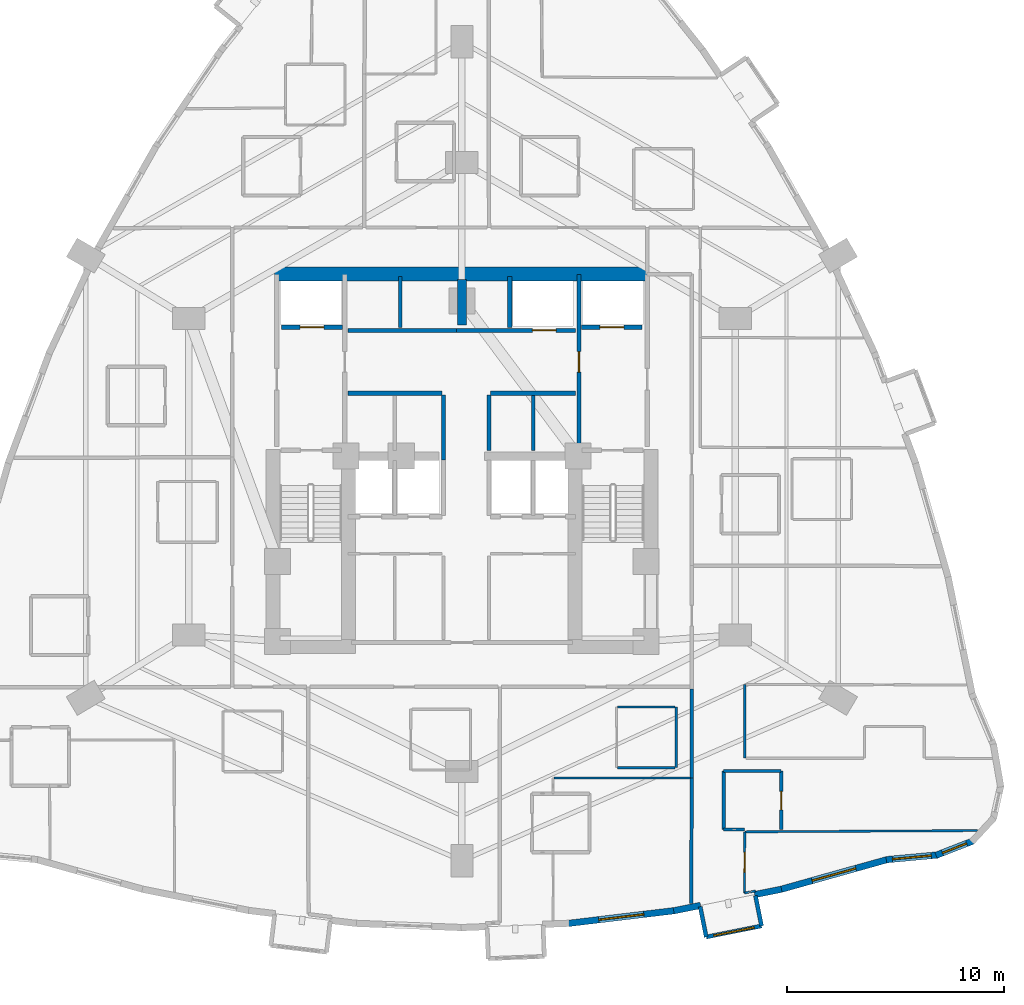
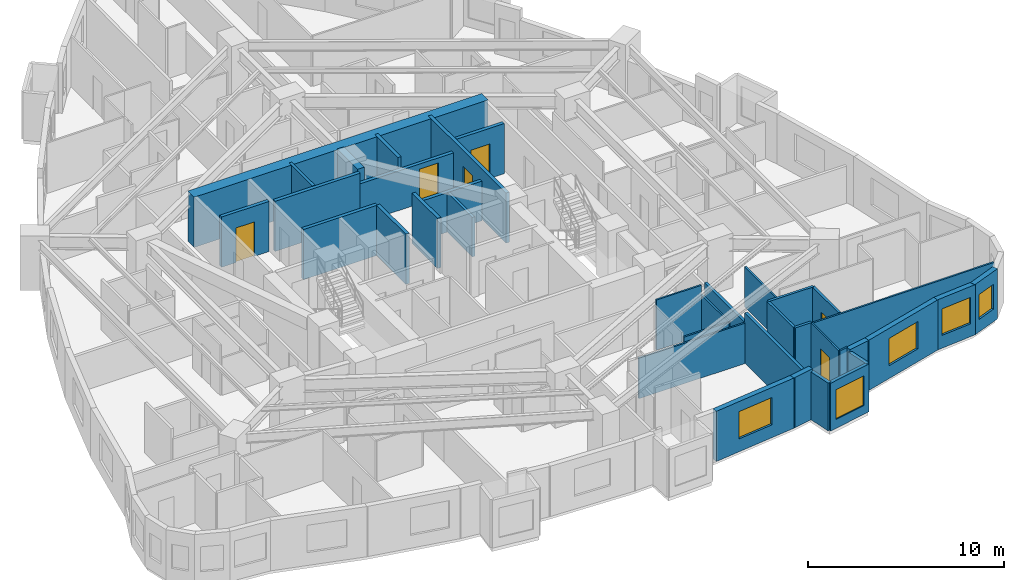
# One storey, part 11 of 16: 37 walls, 6 doors, 5 windows, 11 openings.
"""IFC4 building model written with IfcOpenShell, lengths in metres."""

import ifcopenshell
import ifcopenshell.guid

model = None  # the IFC model being written
_history = None  # IfcOwnerHistory: only IFC2X3 demands one
_inside = {}  # id of a spatial element -> (the spatial element, [elements in it])
_under = {}  # id of a project, library or spatial element -> (it, [spatial elements below it])
_declared = {}  # id of a project -> (the project, [libraries it declares])
_typed = {}  # id of a type object -> (the type object, [elements of that type])
_made_of = {}  # id of a material, layer set ... -> (it, [elements and type objects made of it])


def new_model(schema):
    """Start an empty IFC model of exactly this schema.

    Asked for "IFC4X3", IfcOpenShell would pick the latest addendum, in which some entities
    have other attributes; the version numbers below select the first issue.
    IFC2X3 requires an IfcOwnerHistory on every rooted entity: one is made here for all.
    """
    global model, _history
    if schema == "IFC4X3":
        model = ifcopenshell.file(schema_version=(4, 3, 0, 0))
    else:
        model = ifcopenshell.file(schema=schema)
    _inside.clear()
    _under.clear()
    _declared.clear()
    _typed.clear()
    _made_of.clear()
    _history = None
    if model.schema == "IFC2X3":
        org = make("IfcOrganization", Name="unknown")
        user = make(
            "IfcPersonAndOrganization",
            ThePerson=make("IfcPerson", FamilyName="unknown"),
            TheOrganization=org,
        )
        app = make(
            "IfcApplication",
            ApplicationDeveloper=org,
            Version="unknown",
            ApplicationFullName="unknown",
            ApplicationIdentifier="unknown",
        )
        _history = make(
            "IfcOwnerHistory",
            OwningUser=user,
            OwningApplication=app,
            ChangeAction="ADDED",
            CreationDate=0,
        )
    return model


def make(cls, **values):
    """One entity of the class cls with the attributes given. An attribute that is None is left unset."""
    return model.create_entity(
        cls, **{name: value for name, value in values.items() if value is not None}
    )


def rooted(cls, **values):
    """An entity with a GlobalId (a new one), such as an element, a storey or a relation."""
    return make(cls, GlobalId=ifcopenshell.guid.new(), OwnerHistory=_history, **values)


def si_unit(unit_type, name, prefix=None):
    """IfcSIUnit, for example si_unit("LENGTHUNIT", "METRE", prefix="MILLI")."""
    return make("IfcSIUnit", UnitType=unit_type, Prefix=prefix, Name=name)


def assignment(units):
    """IfcUnitAssignment: the units of a project."""
    return None if units is None else make("IfcUnitAssignment", Units=units)


def point(xyz):
    """IfcCartesianPoint."""
    return None if xyz is None else make("IfcCartesianPoint", Coordinates=xyz)


def direction(xyz):
    """IfcDirection."""
    return None if xyz is None else make("IfcDirection", DirectionRatios=xyz)


def frame(location, z_axis=None, x_axis=None):
    """IfcAxis2Placement3D, a coordinate frame: its origin and axes. An axis left out is left unset."""
    return make(
        "IfcAxis2Placement3D",
        Location=point(location),
        Axis=direction(z_axis),
        RefDirection=direction(x_axis),
    )


def frame_2d(location, x_axis=None):
    """IfcAxis2Placement2D, a coordinate frame in the plane: its origin and x axis."""
    return make(
        "IfcAxis2Placement2D", Location=point(location), RefDirection=direction(x_axis)
    )


def origin():
    """The frame at (0, 0, 0) with its axes left unset."""
    return frame((0.0, 0.0, 0.0))


def place(relative_to, where):
    """IfcLocalPlacement: puts the frame where relative to a parent placement (None: the world)."""
    return make(
        "IfcLocalPlacement", PlacementRelTo=relative_to, RelativePlacement=where
    )


def context(
    kind, dimensions, precision=None, world=None, true_north=None, identifier=None
):
    """IfcGeometricRepresentationContext, for example the 3D "Model" context."""
    return make(
        "IfcGeometricRepresentationContext",
        ContextIdentifier=identifier,
        ContextType=kind,
        CoordinateSpaceDimension=dimensions,
        Precision=precision,
        WorldCoordinateSystem=world,
        TrueNorth=true_north,
    )


def subcontext(parent, identifier, kind, view, scale=None):
    """IfcGeometricRepresentationSubContext, for example "Body" below "Model"."""
    return make(
        "IfcGeometricRepresentationSubContext",
        ContextIdentifier=identifier,
        ContextType=kind,
        ParentContext=parent,
        TargetScale=scale,
        TargetView=view,
    )


def project(units=None, contexts=None):
    """IfcProject with its units and contexts."""
    return rooted(
        "IfcProject",
        Name="project",
        RepresentationContexts=contexts,
        UnitsInContext=assignment(units),
    )


def spatial(cls, under=None, at=None, **own):
    """A site, building, storey or space (cls), placed at a placement, below another one or the project."""
    s = rooted(cls, ObjectPlacement=at, **own)
    if under is not None:
        _under.setdefault(under.id(), (under, []))[1].append(s)
    return s


def profile(cls, at=None, kind="AREA", **sizes):
    """A parametric profile (cls). Its sizes go by their IFC names, for example OverallWidth=200.0."""
    return make(cls, ProfileType=kind, Position=at, **sizes)


def rectangle(**sizes):
    """IfcRectangleProfileDef."""
    return profile("IfcRectangleProfileDef", **sizes)


def extrude(swept, where, along, depth):
    """IfcExtrudedAreaSolid: the profile swept, set in the frame where, extruded along a direction by depth."""
    return make(
        "IfcExtrudedAreaSolid",
        SweptArea=swept,
        Position=where,
        ExtrudedDirection=direction(along),
        Depth=depth,
    )


def shape(context_of_items, identifier, shape_type, items):
    """IfcShapeRepresentation: the items that make up one representation, for example the "Body"."""
    return make(
        "IfcShapeRepresentation",
        ContextOfItems=context_of_items,
        RepresentationIdentifier=identifier,
        RepresentationType=shape_type,
        Items=items,
    )


def material(Name=None, Category=None):
    """IfcMaterial."""
    return make("IfcMaterial", Name=Name, Category=Category)


def layer(
    of_material, thickness, ventilated=None, Name=None, Category=None, Priority=None
):
    """IfcMaterialLayer: one layer of a wall or slab, of a material (None: an air gap)."""
    return make(
        "IfcMaterialLayer",
        Material=of_material,
        LayerThickness=thickness,
        IsVentilated=ventilated,
        Name=Name,
        Category=Category,
        Priority=Priority,
    )


def layer_set(layers, Name=None):
    """IfcMaterialLayerSet."""
    return make("IfcMaterialLayerSet", MaterialLayers=layers, LayerSetName=Name)


def made_of(thing, what):
    """Note that an element or type object is made of a material, layer set ...; save() writes the relation."""
    if what is not None:
        _made_of.setdefault(what.id(), (what, []))[1].append(thing)
    return thing


def type_object(cls, material=None, **own):
    """A type object (cls), such as IfcWallType, which elements share."""
    return made_of(rooted(cls, **own), material)


def element(
    cls,
    number,
    at=None,
    inside=None,
    cuts=None,
    type_object=None,
    material=None,
    context=None,
    identifier="Body",
    shape_type=None,
    held_by="IfcProductDefinitionShape",
    body=None,
    shapes=None,
    **own,
):
    """One element of the class cls, such as IfcWall. Its Tag is "e" and its number.

    at: its placement. inside: the storey or other place that contains it. cuts: it is an
    opening in that element (IfcRelVoidsElement). A single representation is given by context,
    identifier, shape_type and body (its items); several are given by shapes. held_by: the class
    of the entity that holds the representations. save() writes the other relations.
    """
    e = rooted(cls, Tag="e%d" % number, ObjectPlacement=at, **own)
    if body is not None:
        shapes = [shape(context, identifier, shape_type, body)]
    if shapes is not None:
        e.Representation = make(held_by, Representations=shapes)
    if inside is not None:
        _inside.setdefault(inside.id(), (inside, []))[1].append(e)
    if cuts is not None:
        rooted(
            "IfcRelVoidsElement", RelatingBuildingElement=cuts, RelatedOpeningElement=e
        )
    if type_object is not None:
        _typed.setdefault(type_object.id(), (type_object, []))[1].append(e)
    return made_of(e, material)


def fill(opening, filler):
    """IfcRelFillsElement: the door or window that sits in an opening."""
    return rooted(
        "IfcRelFillsElement",
        RelatingOpeningElement=opening,
        RelatedBuildingElement=filler,
    )


def aggregate(whole, parts):
    """IfcRelAggregates: a whole, such as a stair, and the parts it consists of."""
    return rooted("IfcRelAggregates", RelatingObject=whole, RelatedObjects=parts)


def save(model, path):
    """Write the relations noted so far, then the file.

    IfcRelAggregates (storeys below a building ...), IfcRelContainedInSpatialStructure (elements
    in a storey), IfcRelDefinesByType, IfcRelAssociatesMaterial and IfcRelDeclares: one each for
    every whole, place, type object, material and project.
    """
    for whole, parts in _under.values():
        aggregate(whole, parts)
    for where, things in _inside.values():
        rooted(
            "IfcRelContainedInSpatialStructure",
            RelatedElements=things,
            RelatingStructure=where,
        )
    for kind, things in _typed.values():
        rooted("IfcRelDefinesByType", RelatedObjects=things, RelatingType=kind)
    for what, things in _made_of.values():
        rooted("IfcRelAssociatesMaterial", RelatedObjects=things, RelatingMaterial=what)
    for by, libraries in _declared.values():
        rooted("IfcRelDeclares", RelatingContext=by, RelatedDefinitions=libraries)
    model.write(path)


model = new_model("IFC4")

# Units and contexts
model_context = context("Model", 3, precision=1e-05, world=origin(), true_north=direction((0.0, 1.0)))
body_context = subcontext(model_context, "Body", "Model", "MODEL_VIEW")
ifc_project = project(units=[si_unit("LENGTHUNIT", "METRE"), si_unit("AREAUNIT", "SQUARE_METRE"), si_unit("VOLUMEUNIT", "CUBIC_METRE"), si_unit("PLANEANGLEUNIT", "RADIAN"), si_unit("MASSUNIT", "GRAM", prefix="KILO")], contexts=[model_context])

# Site, building, storey
site_placement = place(None, origin())
site = spatial("IfcSite", under=ifc_project, at=site_placement, CompositionType="ELEMENT")
building_placement = place(site_placement, origin())
building = spatial("IfcBuilding", under=site, at=building_placement, Name="Miruveldt Soraemaru", CompositionType="ELEMENT")
storey_placement = place(building_placement, frame((0.0, 0.0, 42.800048828125)))
storey = spatial("IfcBuildingStorey", under=building, at=storey_placement, Name="L11", CompositionType="ELEMENT", Elevation=42.800048828125)

# Walls
ifc_material_1 = material(Name="White powder-coated aluminium EN AW-6060 T6", Category="aluminium")
ifc_layer_1 = layer(ifc_material_1, 0.18994140625, Name="White powder-coated aluminium EN AW-6060 T6", Category="aluminium")
ifc_layer_set_1 = layer_set([ifc_layer_1], Name="White powder-coated aluminium EN AW-6060 T6")
wall_type_1 = type_object("IfcWallType", Name="WALL-BAY-ALU190", PredefinedType="SOLIDWALL", material=ifc_layer_set_1)
wall_1_placement = place(storey_placement, frame((54.9951171875, 23.259033203125, 0.0), z_axis=(0.0, 0.0, 1.0), x_axis=(0.195984352603, -0.980607022989, 0.0)))
element("IfcWall", 1, at=wall_1_placement, inside=storey, type_object=wall_type_1, Name="L11 Bay Window Side Cheek 3L", PredefinedType="SOLIDWALL", context=body_context, shape_type="SweptSolid", body=[
    extrude(rectangle(XDim=1.425048828125, YDim=0.18994140625, at=frame_2d((0.71240234375, 0.0))), origin(), (0.0, 0.0, 1.0), 2.974853515625),
])
wall_2_placement = place(storey_placement, frame((57.82421875, 22.37158203125, 0.0), z_axis=(0.0, 0.0, 1.0), x_axis=(-0.196182033934, 0.980567493629, 0.0)))
element("IfcWall", 2, at=wall_2_placement, inside=storey, type_object=wall_type_1, Name="L11 Bay Window Side Cheek 3R", PredefinedType="SOLIDWALL", context=body_context, shape_type="SweptSolid", body=[
    extrude(rectangle(XDim=1.4248046875, YDim=0.18994140625, at=frame_2d((0.71240234375, 0.0))), origin(), (0.0, 0.0, 1.0), 2.974853515625),
])

# Wall, opening, window
wall_3_placement = place(storey_placement, frame((55.2744140625, 21.861572265625, 0.0), z_axis=(0.0, 0.0, 1.0), x_axis=(0.980577064408, 0.196134190688, 0.0)))
wall_3 = element("IfcWall", 3, at=wall_3_placement, inside=storey, type_object=wall_type_1, Name="L11 Bay Window Front Frame 3", PredefinedType="SOLIDWALL", context=body_context, shape_type="SweptSolid", body=[
    extrude(rectangle(XDim=2.600341796875, YDim=0.18994140625, at=frame_2d((1.30029296875, 0.0))), origin(), (0.0, 0.0, 1.0), 2.974853515625),
])
opening_1_placement = place(wall_3_placement, frame((0.35009765625, 0.0, 0.550048828125)))
opening_1 = element("IfcOpeningElement", 4, at=opening_1_placement, cuts=wall_3, Name="Opening WN-6", PredefinedType="OPENING", context=body_context, shape_type="SweptSolid", body=[
    extrude(rectangle(XDim=1.89990234375, YDim=1.85009765625, at=frame_2d((0.949951171875, 0.925048828125))), frame((0.0, 0.10498046875, 0.0), z_axis=(0.0, -1.0, 0.0), x_axis=(1.0, 0.0, 0.0)), (0.0, 0.0, 1.0), 0.2099609375),
])
ifc_material_2 = material(Name="Triple low-e insulated glazing", Category="glass")
window_type_1 = type_object("IfcWindowType", Name="WIN-BAYW-1900x1850", PartitioningType="SINGLE_PANEL", PredefinedType="WINDOW", material=ifc_material_2)
window_1_placement = place(opening_1_placement, origin())
window_1 = element("IfcWindow", 5, at=window_1_placement, inside=storey, type_object=window_type_1, Name="L11 Projecting Bay Window 3", OverallHeight=1.85009765625, OverallWidth=1.89990234375, PartitioningType="SINGLE_PANEL", PredefinedType="WINDOW", context=body_context, shape_type="SweptSolid", body=[
    extrude(rectangle(XDim=1.89990234375, YDim=1.85009765625, at=frame_2d((0.949951171875, 0.925048828125))), frame((0.0, 0.030029296875, 0.0), z_axis=(0.0, -1.0, 0.0), x_axis=(1.0, 0.0, 0.0)), (0.0, 0.0, 1.0), 0.06005859375),
])
fill(opening_1, window_1)

# Walls
ifc_material_3 = material(Name="Concrete C70/85 (70 MPa)", Category="concrete")
ifc_layer_2 = layer(ifc_material_3, 0.5, Name="Concrete C70/85 (70 MPa)", Category="concrete")
ifc_layer_set_2 = layer_set([ifc_layer_2], Name="Concrete C70/85 (70 MPa)")
wall_type_2 = type_object("IfcWallType", Name="WALL-BW-500", PredefinedType="SHEAR", material=ifc_layer_set_2)
wall_4_placement = place(storey_placement, frame((44.0, 50.10009765625, 0.0), z_axis=(0.0, 0.0, 1.0), x_axis=(0.0, 1.0, 0.0)))
element("IfcWall", 6, at=wall_4_placement, inside=storey, type_object=wall_type_2, Name="L11 Core Buttress Shear Wall BN", PredefinedType="SHEAR", context=body_context, shape_type="SweptSolid", body=[
    extrude(rectangle(XDim=2.099853515625, YDim=0.39990234375, at=frame_2d((1.0498046875, 0.0))), origin(), (0.0, 0.0, 1.0), 3.125),
])
ifc_material_4 = material(Name="Concrete C80/95 (80 MPa)", Category="concrete")
ifc_layer_3 = layer(ifc_material_4, 0.64990234375, Name="Concrete C80/95 (80 MPa)", Category="concrete")
ifc_layer_set_3 = layer_set([ifc_layer_3], Name="Concrete C80/95 (80 MPa)")
wall_type_3 = type_object("IfcWallType", Name="WALL-CW-650", PredefinedType="SHEAR", material=ifc_layer_set_3)
wall_5_placement = place(storey_placement, frame((35.35009765625, 52.449951171875, 0.0), z_axis=(0.0, 0.0, 1.0), x_axis=(1.0, 0.0, 0.0)))
element("IfcWall", 7, at=wall_5_placement, inside=storey, type_object=wall_type_3, Name="L11 Central Core Shear Wall N", PredefinedType="SHEAR", context=body_context, shape_type="SweptSolid", body=[
    extrude(rectangle(XDim=17.2998046875, YDim=0.64990234375, at=frame_2d((8.64990234375, 0.0))), origin(), (0.0, 0.0, 1.0), 3.125),
])

# Wall, opening, window
ifc_material_5 = material(Name="Precast concrete C45/55 (45 MPa)", Category="concrete")
ifc_layer_4 = layer(ifc_material_5, 0.300048828125, Name="Precast concrete C45/55 (45 MPa)", Category="concrete")
ifc_layer_set_4 = layer_set([ifc_layer_4], Name="Precast concrete C45/55 (45 MPa)")
wall_type_4 = type_object("IfcWallType", Name="WALL-EXT-PC300", PredefinedType="SOLIDWALL", material=ifc_layer_set_4)
wall_6_placement = place(storey_placement, frame((48.868896484375, 22.48486328125, 0.0), z_axis=(0.0, 0.0, 1.0), x_axis=(0.992873378467, 0.119174050582, 0.0)))
wall_6 = element("IfcWall", 8, at=wall_6_placement, inside=storey, type_object=wall_type_4, Name="L11 Precast Concrete Facade Wall 26", PredefinedType="SOLIDWALL", context=body_context, shape_type="SweptSolid", body=[
    extrude(rectangle(XDim=5.0087890625, YDim=0.300048828125, at=frame_2d((2.50439453125, 0.0))), origin(), (0.0, 0.0, 1.0), 3.125),
])
opening_2_placement = place(wall_6_placement, frame((1.4541015625, 0.0, 0.800048828125)))
opening_2 = element("IfcOpeningElement", 9, at=opening_2_placement, cuts=wall_6, Name="Opening WN-1", PredefinedType="OPENING", context=body_context, shape_type="SweptSolid", body=[
    extrude(rectangle(XDim=2.10009765625, YDim=1.699951171875, at=frame_2d((1.050048828125, 0.85009765625))), frame((0.0, 0.16015625, 0.0), z_axis=(0.0, -1.0, 0.0), x_axis=(1.0, 0.0, 0.0)), (0.0, 0.0, 1.0), 0.320068359375),
])
window_type_2 = type_object("IfcWindowType", Name="WIN-PUNCH-2100x1700", PartitioningType="SINGLE_PANEL", PredefinedType="WINDOW", material=ifc_material_2)
window_2_placement = place(opening_2_placement, origin())
window_2 = element("IfcWindow", 10, at=window_2_placement, inside=storey, type_object=window_type_2, Name="L11 Punched Triple-Glazed Window 26.1", OverallHeight=1.699951171875, OverallWidth=2.10009765625, PartitioningType="SINGLE_PANEL", PredefinedType="WINDOW", context=body_context, shape_type="SweptSolid", body=[
    extrude(rectangle(XDim=2.10009765625, YDim=1.699951171875, at=frame_2d((1.050048828125, 0.85009765625))), frame((0.0, 0.030029296875, 0.0), z_axis=(0.0, -1.0, 0.0), x_axis=(1.0, 0.0, 0.0)), (0.0, 0.0, 1.0), 0.06005859375),
])
fill(opening_2, window_2)

# Walls
for number, where, z_axis, x_axis, name in (
    (11, (53.77294921875, 23.070556640625, 0.0), (0.0, 0.0, 1.0), (0.980558406217, 0.19622744965, 0.0), "L11 Precast Pier Wall 27A"),
    (12, (57.50439453125, 23.81689453125, 0.0), (0.0, 0.0, 1.0), (0.980558406217, 0.19622744965, 0.0), "L11 Precast Pier Wall 27B"),
):
    element("IfcWall", number, at=place(storey_placement, frame(where, z_axis=z_axis, x_axis=x_axis)), inside=storey, type_object=wall_type_4, Name=name, PredefinedType="SOLIDWALL", context=body_context, shape_type="SweptSolid", body=[
        extrude(rectangle(XDim=1.265380859375, YDim=0.300048828125, at=frame_2d((0.6328125, 0.0))), origin(), (0.0, 0.0, 1.0), 3.125),
    ])

# Wall, opening, window
wall_7_placement = place(storey_placement, frame((58.67724609375, 24.048828125, 0.0), z_axis=(0.0, 0.0, 1.0), x_axis=(0.962965002088, 0.269626417018, 0.0)))
wall_7 = element("IfcWall", 13, at=wall_7_placement, inside=storey, type_object=wall_type_4, Name="L11 Precast Concrete Facade Wall 28", PredefinedType="SOLIDWALL", context=body_context, shape_type="SweptSolid", body=[
    extrude(rectangle(XDim=5.162109375, YDim=0.300048828125, at=frame_2d((2.5810546875, 0.0))), origin(), (0.0, 0.0, 1.0), 3.125),
])
opening_3_placement = place(wall_7_placement, frame((1.531005859375, 0.0, 0.800048828125)))
opening_3 = element("IfcOpeningElement", 14, at=opening_3_placement, cuts=wall_7, Name="Opening WN-1", PredefinedType="OPENING", context=body_context, shape_type="SweptSolid", body=[
    extrude(rectangle(XDim=2.10009765625, YDim=1.699951171875, at=frame_2d((1.050048828125, 0.85009765625))), frame((0.0, 0.16015625, 0.0), z_axis=(0.0, -1.0, 0.0), x_axis=(1.0, 0.0, 0.0)), (0.0, 0.0, 1.0), 0.320068359375),
])
window_3_placement = place(opening_3_placement, origin())
window_3 = element("IfcWindow", 15, at=window_3_placement, inside=storey, type_object=window_type_2, Name="L11 Punched Triple-Glazed Window 28.1", OverallHeight=1.699951171875, OverallWidth=2.10009765625, PartitioningType="SINGLE_PANEL", PredefinedType="WINDOW", context=body_context, shape_type="SweptSolid", body=[
    extrude(rectangle(XDim=2.10009765625, YDim=1.699951171875, at=frame_2d((1.050048828125, 0.85009765625))), frame((0.0, 0.030029296875, 0.0), z_axis=(0.0, -1.0, 0.0), x_axis=(1.0, 0.0, 0.0)), (0.0, 0.0, 1.0), 0.06005859375),
])
fill(opening_3, window_3)

wall_8_placement = place(storey_placement, frame((63.57958984375, 25.427978515625, 0.0), z_axis=(0.0, 0.0, 1.0), x_axis=(0.99576320225, 0.091954581429, 0.0)))
wall_8 = element("IfcWall", 16, at=wall_8_placement, inside=storey, type_object=wall_type_4, Name="L11 Precast Concrete Facade Wall 29", PredefinedType="SOLIDWALL", context=body_context, shape_type="SweptSolid", body=[
    extrude(rectangle(XDim=2.37353515625, YDim=0.300048828125, at=frame_2d((1.186767578125, 0.0))), origin(), (0.0, 0.0, 1.0), 3.125),
])
opening_4_placement = place(wall_8_placement, frame((0.287109375, 0.0, 0.800048828125)))
opening_4 = element("IfcOpeningElement", 17, at=opening_4_placement, cuts=wall_8, Name="Opening WN-2", PredefinedType="OPENING", context=body_context, shape_type="SweptSolid", body=[
    extrude(rectangle(XDim=1.800048828125, YDim=1.64990234375, at=frame_2d((0.89990234375, 0.824951171875))), frame((0.0, 0.16015625, 0.0), z_axis=(0.0, -1.0, 0.0), x_axis=(1.0, 0.0, 0.0)), (0.0, 0.0, 1.0), 0.320068359375),
])
window_type_3 = type_object("IfcWindowType", Name="WIN-PUNCH-1800x1650", PartitioningType="SINGLE_PANEL", PredefinedType="WINDOW", material=ifc_material_2)
window_4_placement = place(opening_4_placement, origin())
window_4 = element("IfcWindow", 18, at=window_4_placement, inside=storey, type_object=window_type_3, Name="L11 Punched Triple-Glazed Window 29.1", OverallHeight=1.64990234375, OverallWidth=1.800048828125, PartitioningType="SINGLE_PANEL", PredefinedType="WINDOW", context=body_context, shape_type="SweptSolid", body=[
    extrude(rectangle(XDim=1.800048828125, YDim=1.64990234375, at=frame_2d((0.89990234375, 0.824951171875))), frame((0.0, 0.030029296875, 0.0), z_axis=(0.0, -1.0, 0.0), x_axis=(1.0, 0.0, 0.0)), (0.0, 0.0, 1.0), 0.06005859375),
])
fill(opening_4, window_4)

wall_9_placement = place(storey_placement, frame((65.875732421875, 25.63037109375, 0.0), z_axis=(0.0, 0.0, 1.0), x_axis=(0.932260177706, 0.361788558502, 0.0)))
wall_9 = element("IfcWall", 19, at=wall_9_placement, inside=storey, type_object=wall_type_4, Name="L11 Precast Concrete Facade Wall 30", PredefinedType="SOLIDWALL", context=body_context, shape_type="SweptSolid", body=[
    extrude(rectangle(XDim=1.827392578125, YDim=0.300048828125, at=frame_2d((0.91357421875, 0.0))), origin(), (0.0, 0.0, 1.0), 3.125),
])
opening_5_placement = place(wall_9_placement, frame((0.31396484375, 0.0, 0.780029296875)))
opening_5 = element("IfcOpeningElement", 20, at=opening_5_placement, cuts=wall_9, Name="Opening WN-4", PredefinedType="OPENING", context=body_context, shape_type="SweptSolid", body=[
    extrude(rectangle(XDim=1.199951171875, YDim=1.550048828125, at=frame_2d((0.60009765625, 0.77490234375))), frame((0.0, 0.16015625, 0.0), z_axis=(0.0, -1.0, 0.0), x_axis=(1.0, 0.0, 0.0)), (0.0, 0.0, 1.0), 0.320068359375),
])
window_type_4 = type_object("IfcWindowType", Name="WIN-PUNCH-1200x1550", PartitioningType="SINGLE_PANEL", PredefinedType="WINDOW", material=ifc_material_2)
window_5_placement = place(opening_5_placement, origin())
window_5 = element("IfcWindow", 21, at=window_5_placement, inside=storey, type_object=window_type_4, Name="L11 Punched Triple-Glazed Window 30.1", OverallHeight=1.550048828125, OverallWidth=1.199951171875, PartitioningType="SINGLE_PANEL", PredefinedType="WINDOW", context=body_context, shape_type="SweptSolid", body=[
    extrude(rectangle(XDim=1.199951171875, YDim=1.550048828125, at=frame_2d((0.60009765625, 0.77490234375))), frame((0.0, 0.030029296875, 0.0), z_axis=(0.0, -1.0, 0.0), x_axis=(1.0, 0.0, 0.0)), (0.0, 0.0, 1.0), 0.06005859375),
])
fill(opening_5, window_5)

# Wall, opening, door
ifc_material_6 = material(Name="Gypsum plasterboard lining", Category="gypsum")
ifc_layer_5 = layer(ifc_material_6, 0.10009765625, Name="Gypsum plasterboard lining", Category="gypsum")
ifc_layer_set_5 = layer_set([ifc_layer_5], Name="Gypsum plasterboard lining")
wall_type_5 = type_object("IfcWallType", Name="WALL-INT-P100", PredefinedType="PARTITIONING", material=ifc_layer_set_5)
wall_10_placement = place(storey_placement, frame((57.032958984375, 23.89111328125, 0.0), z_axis=(0.0, 0.0, 1.0), x_axis=(0.006051587985, 0.999981688974, 0.0)))
wall_10 = element("IfcWall", 22, at=wall_10_placement, inside=storey, type_object=wall_type_5, Name="L11 Partition Wall 83", PredefinedType="PARTITIONING", context=body_context, shape_type="SweptSolid", body=[
    extrude(rectangle(XDim=2.823974609375, YDim=0.10009765625, at=frame_2d((1.412109375, 0.0))), origin(), (0.0, 0.0, 1.0), 3.125),
])
opening_6_placement = place(wall_10_placement, frame((0.951904296875, 0.0, 0.0)))
opening_6 = element("IfcOpeningElement", 23, at=opening_6_placement, cuts=wall_10, Name="Opening D3A", PredefinedType="OPENING", context=body_context, shape_type="SweptSolid", body=[
    extrude(rectangle(XDim=0.919921875, YDim=2.10009765625, at=frame_2d((0.4599609375, 1.050048828125))), frame((0.0, 0.06005859375, 0.0), z_axis=(0.0, -1.0, 0.0), x_axis=(1.0, 0.0, 0.0)), (0.0, 0.0, 1.0), 0.1201171875),
])
ifc_material_7 = material(Name="Anodised aluminium EN AW-6063 T6", Category="aluminium")
door_type_1 = type_object("IfcDoorType", Name="DOOR-INT-920", OperationType="NOTDEFINED", PredefinedType="DOOR", material=ifc_material_7)
door_1_placement = place(opening_6_placement, origin())
door_1 = element("IfcDoor", 24, at=door_1_placement, inside=storey, type_object=door_type_1, Name="L11 Unit 1107 BD1 Door", OperationType="SINGLE_SWING_LEFT", OverallHeight=2.10009765625, OverallWidth=0.919921875, PredefinedType="DOOR", context=body_context, shape_type="SweptSolid", body=[
    extrude(rectangle(XDim=0.919921875, YDim=2.10009765625, at=frame_2d((0.4599609375, 1.050048828125))), frame((0.0, 0.02490234375, 0.0), z_axis=(0.0, -1.0, 0.0), x_axis=(1.0, 0.0, 0.0)), (0.0, 0.0, 1.0), 0.050048828125),
])
fill(opening_6, door_1)

# Walls
wall_11_placement = place(storey_placement, frame((57.050048828125, 26.715087890625, 0.0), z_axis=(0.0, 0.0, 1.0), x_axis=(0.999985460835, 0.005392413065, 0.0)))
element("IfcWall", 25, at=wall_11_placement, inside=storey, type_object=wall_type_5, Name="L11 Partition Wall 125", PredefinedType="PARTITIONING", context=body_context, shape_type="SweptSolid", body=[
    extrude(rectangle(XDim=10.730224609375, YDim=0.10009765625, at=frame_2d((5.365234375, 0.0))), origin(), (0.0, 0.0, 1.0), 3.125),
])
wall_12_placement = place(storey_placement, frame((48.256103515625, 29.199951171875, 0.0), z_axis=(0.0, 0.0, 1.0), x_axis=(1.0, 0.0, 0.0)))
element("IfcWall", 26, at=wall_12_placement, inside=storey, type_object=wall_type_5, Name="L11 Partition Wall 121", PredefinedType="PARTITIONING", context=body_context, shape_type="SweptSolid", body=[
    extrude(rectangle(XDim=6.2939453125, YDim=0.10009765625, at=frame_2d((3.14697265625, 0.0))), origin(), (0.0, 0.0, 1.0), 2.512939453125),
])
wall_13_placement = place(storey_placement, frame((57.050048828125, 30.113037109375, 0.0), z_axis=(0.0, 0.0, 1.0), x_axis=(0.0, 1.0, 0.0)))
element("IfcWall", 27, at=wall_13_placement, inside=storey, type_object=wall_type_5, Name="L11 Partition Wall 86", PredefinedType="PARTITIONING", context=body_context, shape_type="SweptSolid", body=[
    extrude(rectangle(XDim=3.39794921875, YDim=0.10009765625, at=frame_2d((1.698974609375, 0.0))), origin(), (0.0, 0.0, 1.0), 2.512939453125),
])
wall_14_placement = place(storey_placement, frame((53.885986328125, 29.675048828125, 0.0), z_axis=(0.0, 0.0, 1.0), x_axis=(0.0, 1.0, 0.0)))
element("IfcWall", 28, at=wall_14_placement, inside=storey, type_object=wall_type_5, Name="L11 Partition Wall 115", PredefinedType="PARTITIONING", context=body_context, shape_type="SweptSolid", body=[
    extrude(rectangle(XDim=2.800048828125, YDim=0.10009765625, at=frame_2d((1.39990234375, 0.0))), origin(), (0.0, 0.0, 1.0), 2.512939453125),
])
wall_15_placement = place(storey_placement, frame((53.8359375, 32.47509765625, 0.0), z_axis=(0.0, 0.0, 1.0), x_axis=(-1.0, 0.0, 0.0)))
element("IfcWall", 29, at=wall_15_placement, inside=storey, type_object=wall_type_5, Name="L11 Partition Wall 116", PredefinedType="PARTITIONING", context=body_context, shape_type="SweptSolid", body=[
    extrude(rectangle(XDim=2.64990234375, YDim=0.10009765625, at=frame_2d((1.324951171875, 0.0))), origin(), (0.0, 0.0, 1.0), 3.125),
])
wall_16_placement = place(storey_placement, frame((51.18603515625, 29.675048828125, 0.0), z_axis=(0.0, 0.0, 1.0), x_axis=(1.0, 0.0, 0.0)))
element("IfcWall", 30, at=wall_16_placement, inside=storey, type_object=wall_type_5, Name="L11 Partition Wall 118", PredefinedType="PARTITIONING", context=body_context, shape_type="SweptSolid", body=[
    extrude(rectangle(XDim=2.64990234375, YDim=0.10009765625, at=frame_2d((1.324951171875, 0.0))), origin(), (0.0, 0.0, 1.0), 2.512939453125),
])
wall_17_placement = place(storey_placement, frame((57.032958984375, 23.89111328125, 0.0), z_axis=(0.0, 0.0, 1.0), x_axis=(0.983174500968, 0.18266882779, 0.0)))
element("IfcWall", 31, at=wall_17_placement, inside=storey, type_object=wall_type_5, Name="L11 Partition Closure Return 1", PredefinedType="PARTITIONING", context=body_context, shape_type="SweptSolid", body=[
    extrude(rectangle(XDim=0.52783203125, YDim=0.10009765625, at=frame_2d((0.263916015625, 0.0))), origin(), (0.0, 0.0, 1.0), 3.125),
])

# Wall, opening, door
ifc_layer_6 = layer(ifc_material_6, 0.14990234375, Name="Gypsum plasterboard lining", Category="gypsum")
ifc_layer_set_6 = layer_set([ifc_layer_6], Name="Gypsum plasterboard lining")
wall_type_6 = type_object("IfcWallType", Name="WALL-INT-PLUMB", PredefinedType="PLUMBINGWALL", material=ifc_layer_set_6)
wall_18_placement = place(storey_placement, frame((58.72998046875, 26.819091796875, 0.0), z_axis=(0.0, 0.0, 1.0), x_axis=(0.0, 1.0, 0.0)))
wall_18 = element("IfcWall", 32, at=wall_18_placement, inside=storey, type_object=wall_type_6, Name="L11 Partition Wall 79", PredefinedType="PLUMBINGWALL", context=body_context, shape_type="SweptSolid", body=[
    extrude(rectangle(XDim=2.699951171875, YDim=0.14990234375, at=frame_2d((1.35009765625, 0.0))), origin(), (0.0, 0.0, 1.0), 3.125),
])
opening_7_placement = place(wall_18_placement, frame((0.909912109375, 0.0, 0.0)))
opening_7 = element("IfcOpeningElement", 33, at=opening_7_placement, cuts=wall_18, Name="Opening FD3", PredefinedType="OPENING", context=body_context, shape_type="SweptSolid", body=[
    extrude(rectangle(XDim=0.85009765625, YDim=2.10009765625, at=frame_2d((0.425048828125, 1.050048828125))), frame((0.0, 0.0849609375, 0.0), z_axis=(0.0, -1.0, 0.0), x_axis=(1.0, 0.0, 0.0)), (0.0, 0.0, 1.0), 0.169921875),
])
door_type_2 = type_object("IfcDoorType", Name="DOOR-FD3-850", OperationType="NOTDEFINED", PredefinedType="DOOR", material=ifc_material_7)
door_2_placement = place(opening_7_placement, origin())
door_2 = element("IfcDoor", 34, at=door_2_placement, inside=storey, type_object=door_type_2, Name="L11 Unit 1107 BTH Door", OperationType="SINGLE_SWING_RIGHT", OverallHeight=2.10009765625, OverallWidth=0.85009765625, PredefinedType="DOOR", context=body_context, shape_type="SweptSolid", body=[
    extrude(rectangle(XDim=0.85009765625, YDim=2.10009765625, at=frame_2d((0.425048828125, 1.050048828125))), frame((0.0, 0.02490234375, 0.0), z_axis=(0.0, -1.0, 0.0), x_axis=(1.0, 0.0, 0.0)), (0.0, 0.0, 1.0), 0.050048828125),
])
fill(opening_7, door_2)

# Walls
wall_19_placement = place(storey_placement, frame((56.080078125, 29.51904296875, 0.0), z_axis=(0.0, 0.0, 1.0), x_axis=(0.0, -1.0, 0.0)))
element("IfcWall", 35, at=wall_19_placement, inside=storey, type_object=wall_type_6, Name="L11 Partition Wall 81", PredefinedType="PLUMBINGWALL", context=body_context, shape_type="SweptSolid", body=[
    extrude(rectangle(XDim=2.699951171875, YDim=0.14990234375, at=frame_2d((1.35009765625, 0.0))), origin(), (0.0, 0.0, 1.0), 3.125),
])
wall_20_placement = place(storey_placement, frame((58.72998046875, 29.51904296875, 0.0), z_axis=(0.0, 0.0, 1.0), x_axis=(-1.0, 0.0, 0.0)))
element("IfcWall", 36, at=wall_20_placement, inside=storey, type_object=wall_type_6, Name="L11 Partition Wall 80", PredefinedType="PLUMBINGWALL", context=body_context, shape_type="SweptSolid", body=[
    extrude(rectangle(XDim=2.64990234375, YDim=0.14990234375, at=frame_2d((1.324951171875, 0.0))), origin(), (0.0, 0.0, 1.0), 3.125),
])
wall_21_placement = place(storey_placement, frame((56.080078125, 26.819091796875, 0.0), z_axis=(0.0, 0.0, 1.0), x_axis=(1.0, 0.0, 0.0)))
element("IfcWall", 37, at=wall_21_placement, inside=storey, type_object=wall_type_6, Name="L11 Partition Wall 82", PredefinedType="PLUMBINGWALL", context=body_context, shape_type="SweptSolid", body=[
    extrude(rectangle(XDim=0.96923828125, YDim=0.14990234375, at=frame_2d((0.484619140625, 0.0))), origin(), (0.0, 0.0, 1.0), 3.125),
])
ifc_material_8 = material(Name="Concrete C40/50 (40 MPa)", Category="concrete")
ifc_layer_7 = layer(ifc_material_8, 0.159912109375, Name="Concrete C40/50 (40 MPa)", Category="concrete")
ifc_layer_set_7 = layer_set([ifc_layer_7], Name="Concrete C40/50 (40 MPa)")
wall_type_7 = type_object("IfcWallType", Name="WALL-INT-RC160", PredefinedType="SOLIDWALL", material=ifc_layer_set_7)
wall_22_placement = place(storey_placement, frame((54.60009765625, 29.199951171875, 0.0), z_axis=(0.0, 0.0, 1.0), x_axis=(-0.002946983372, -0.999995657635, 0.0)))
element("IfcWall", 38, at=wall_22_placement, inside=storey, type_object=wall_type_7, Name="L11 Partition Wall 89", PredefinedType="SOLIDWALL", context=body_context, shape_type="SweptSolid", body=[
    extrude(rectangle(XDim=5.799072265625, YDim=0.159912109375, at=frame_2d((2.8994140625, 0.0))), origin(), (0.0, 0.0, 1.0), 3.125),
])
wall_23_placement = place(storey_placement, frame((54.60009765625, 33.31005859375, 0.0), z_axis=(0.0, 0.0, 1.0), x_axis=(0.0, -1.0, 0.0)))
element("IfcWall", 39, at=wall_23_placement, inside=storey, type_object=wall_type_7, Name="L11 Partition Wall 88", PredefinedType="SOLIDWALL", context=body_context, shape_type="SweptSolid", body=[
    extrude(rectangle(XDim=4.110107421875, YDim=0.159912109375, at=frame_2d((2.05517578125, 0.0))), origin(), (0.0, 0.0, 1.0), 2.512939453125),
])
wall_24_placement = place(storey_placement, frame((47.280029296875, 44.300048828125, 0.0), z_axis=(0.0, 0.0, 1.0), x_axis=(0.0, 1.0, 0.0)))
element("IfcWall", 40, at=wall_24_placement, inside=storey, type_object=wall_type_7, Name="L11 Core Compartment Wall PLM-DE", PredefinedType="SOLIDWALL", context=body_context, shape_type="SweptSolid", body=[
    extrude(rectangle(XDim=2.550048828125, YDim=0.159912109375, at=frame_2d((1.27490234375, 0.0))), origin(), (0.0, 0.0, 1.0), 2.462890625),
])
wall_25_placement = place(storey_placement, frame((41.14990234375, 49.97998046875, 0.0), z_axis=(0.0, 0.0, 1.0), x_axis=(0.0, 1.0, 0.0)))
element("IfcWall", 41, at=wall_25_placement, inside=storey, type_object=wall_type_7, Name="L11 Core Compartment Wall PLH-DIV1", PredefinedType="SOLIDWALL", context=body_context, shape_type="SweptSolid", body=[
    extrude(rectangle(XDim=2.3701171875, YDim=0.159912109375, at=frame_2d((1.18505859375, 0.0))), origin(), (0.0, 0.0, 1.0), 3.125),
])

# Wall, opening, door
ifc_layer_8 = layer(ifc_material_8, 0.199951171875, Name="Concrete C40/50 (40 MPa)", Category="concrete")
ifc_layer_set_8 = layer_set([ifc_layer_8], Name="Concrete C40/50 (40 MPa)")
wall_type_8 = type_object("IfcWallType", Name="WALL-INT-RC200", PredefinedType="SOLIDWALL", material=ifc_layer_set_8)
wall_26_placement = place(storey_placement, frame((49.39990234375, 44.5, 0.0), z_axis=(0.0, 0.0, 1.0), x_axis=(0.0, 1.0, 0.0)))
wall_26 = element("IfcWall", 42, at=wall_26_placement, inside=storey, type_object=wall_type_8, Name="L11 Core Compartment Wall FFE-IN", PredefinedType="SOLIDWALL", context=body_context, shape_type="SweptSolid", body=[
    extrude(rectangle(XDim=7.919921875, YDim=0.199951171875, at=frame_2d((3.9599609375, 0.0))), origin(), (0.0, 0.0, 1.0), 3.125),
])
opening_8_placement = place(wall_26_placement, frame((3.425048828125, 0.0, 0.0)))
opening_8 = element("IfcOpeningElement", 43, at=opening_8_placement, cuts=wall_26, Name="Opening FD2", PredefinedType="OPENING", context=body_context, shape_type="SweptSolid", body=[
    extrude(rectangle(XDim=0.949951171875, YDim=2.14990234375, at=frame_2d((0.47509765625, 1.074951171875))), frame((0.0, 0.10986328125, 0.0), z_axis=(0.0, -1.0, 0.0), x_axis=(1.0, 0.0, 0.0)), (0.0, 0.0, 1.0), 0.219970703125),
])
door_type_3 = type_object("IfcDoorType", Name="DOOR-FD2-950", OperationType="NOTDEFINED", PredefinedType="DOOR", material=ifc_material_7)
door_3_placement = place(opening_8_placement, origin())
door_3 = element("IfcDoor", 44, at=door_3_placement, inside=storey, type_object=door_type_3, Name="L11 Lift Lobby to East Fire Lobby Door", OperationType="SINGLE_SWING_LEFT", OverallHeight=2.14990234375, OverallWidth=0.949951171875, PredefinedType="DOOR", context=body_context, shape_type="SweptSolid", body=[
    extrude(rectangle(XDim=0.949951171875, YDim=2.14990234375, at=frame_2d((0.47509765625, 1.074951171875))), frame((0.0, 0.02490234375, 0.0), z_axis=(0.0, -1.0, 0.0), x_axis=(1.0, 0.0, 0.0)), (0.0, 0.0, 1.0), 0.050048828125),
])
fill(opening_8, door_3)

wall_27_placement = place(storey_placement, frame((43.75, 49.85009765625, 0.0), z_axis=(0.0, 0.0, 1.0), x_axis=(1.0, 0.0, 0.0)))
wall_27 = element("IfcWall", 45, at=wall_27_placement, inside=storey, type_object=wall_type_8, Name="L11 Core Compartment Wall ROWA-SE", PredefinedType="SOLIDWALL", context=body_context, shape_type="SweptSolid", body=[
    extrude(rectangle(XDim=5.5, YDim=0.199951171875, at=frame_2d((2.75, 0.0))), origin(), (0.0, 0.0, 1.0), 2.462890625),
])
opening_9_placement = place(wall_27_placement, frame((3.5, 0.0, 0.0)))
opening_9 = element("IfcOpeningElement", 46, at=opening_9_placement, cuts=wall_27, Name="Opening LD2", PredefinedType="OPENING", context=body_context, shape_type="SweptSolid", body=[
    extrude(rectangle(XDim=1.10009765625, YDim=2.14990234375, at=frame_2d((0.550048828125, 1.074951171875))), frame((0.0, 0.10986328125, 0.0), z_axis=(0.0, -1.0, 0.0), x_axis=(1.0, 0.0, 0.0)), (0.0, 0.0, 1.0), 0.219970703125),
])
door_type_4 = type_object("IfcDoorType", Name="DOOR-LD2-1100", OperationType="SLIDING_TO_LEFT", PredefinedType="DOOR", material=ifc_material_7)
door_4_placement = place(opening_9_placement, origin())
door_4 = element("IfcDoor", 47, at=door_4_placement, inside=storey, type_object=door_type_4, Name="L11 SL-1 Landing Door", OperationType="SLIDING_TO_LEFT", OverallHeight=2.14990234375, OverallWidth=1.10009765625, PredefinedType="DOOR", context=body_context, shape_type="SweptSolid", body=[
    extrude(rectangle(XDim=1.10009765625, YDim=2.14990234375, at=frame_2d((0.550048828125, 1.074951171875))), frame((0.0, 0.02490234375, 0.0), z_axis=(0.0, -1.0, 0.0), x_axis=(1.0, 0.0, 0.0)), (0.0, 0.0, 1.0), 0.050048828125),
])
fill(opening_9, door_4)

wall_28_placement = place(storey_placement, frame((35.679931640625, 50.0, 0.0), z_axis=(0.0, 0.0, 1.0), x_axis=(1.0, 0.0, 0.0)))
wall_28 = element("IfcWall", 48, at=wall_28_placement, inside=storey, type_object=wall_type_8, Name="L11 Core Compartment Wall FFL1-S", PredefinedType="SOLIDWALL", context=body_context, shape_type="SweptSolid", body=[
    extrude(rectangle(XDim=2.800048828125, YDim=0.199951171875, at=frame_2d((1.39990234375, 0.0))), origin(), (0.0, 0.0, 1.0), 3.125),
])
opening_10_placement = place(wall_28_placement, frame((0.85009765625, 0.0, 0.0)))
opening_10 = element("IfcOpeningElement", 49, at=opening_10_placement, cuts=wall_28, Name="Opening LD2", PredefinedType="OPENING", context=body_context, shape_type="SweptSolid", body=[
    extrude(rectangle(XDim=1.10009765625, YDim=2.14990234375, at=frame_2d((0.550048828125, 1.074951171875))), frame((0.0, 0.10986328125, 0.0), z_axis=(0.0, -1.0, 0.0), x_axis=(1.0, 0.0, 0.0)), (0.0, 0.0, 1.0), 0.219970703125),
])
door_5_placement = place(opening_10_placement, origin())
door_5 = element("IfcDoor", 50, at=door_5_placement, inside=storey, type_object=door_type_4, Name="L11 FFL-1 Landing Door", OperationType="SLIDING_TO_LEFT", OverallHeight=2.14990234375, OverallWidth=1.10009765625, PredefinedType="DOOR", context=body_context, shape_type="SweptSolid", body=[
    extrude(rectangle(XDim=1.10009765625, YDim=2.14990234375, at=frame_2d((0.550048828125, 1.074951171875))), frame((0.0, 0.02490234375, 0.0), z_axis=(0.0, -1.0, 0.0), x_axis=(1.0, 0.0, 0.0)), (0.0, 0.0, 1.0), 0.050048828125),
])
fill(opening_10, door_5)

wall_29_placement = place(storey_placement, frame((49.52001953125, 50.0, 0.0), z_axis=(0.0, 0.0, 1.0), x_axis=(1.0, 0.0, 0.0)))
wall_29 = element("IfcWall", 51, at=wall_29_placement, inside=storey, type_object=wall_type_8, Name="L11 Core Compartment Wall FFL2-S", PredefinedType="SOLIDWALL", context=body_context, shape_type="SweptSolid", body=[
    extrude(rectangle(XDim=2.800048828125, YDim=0.199951171875, at=frame_2d((1.39990234375, 0.0))), origin(), (0.0, 0.0, 1.0), 3.125),
])
opening_11_placement = place(wall_29_placement, frame((0.85009765625, 0.0, 0.0)))
opening_11 = element("IfcOpeningElement", 52, at=opening_11_placement, cuts=wall_29, Name="Opening LD2", PredefinedType="OPENING", context=body_context, shape_type="SweptSolid", body=[
    extrude(rectangle(XDim=1.10009765625, YDim=2.14990234375, at=frame_2d((0.550048828125, 1.074951171875))), frame((0.0, 0.10986328125, 0.0), z_axis=(0.0, -1.0, 0.0), x_axis=(1.0, 0.0, 0.0)), (0.0, 0.0, 1.0), 0.219970703125),
])
door_6_placement = place(opening_11_placement, origin())
door_6 = element("IfcDoor", 53, at=door_6_placement, inside=storey, type_object=door_type_4, Name="L11 FFL-2 Landing Door", OperationType="SLIDING_TO_LEFT", OverallHeight=2.14990234375, OverallWidth=1.10009765625, PredefinedType="DOOR", context=body_context, shape_type="SweptSolid", body=[
    extrude(rectangle(XDim=1.10009765625, YDim=2.14990234375, at=frame_2d((0.550048828125, 1.074951171875))), frame((0.0, 0.02490234375, 0.0), z_axis=(0.0, -1.0, 0.0), x_axis=(1.0, 0.0, 0.0)), (0.0, 0.0, 1.0), 0.050048828125),
])
fill(opening_11, door_6)

# Walls
wall_30_placement = place(storey_placement, frame((38.75, 49.85009765625, 0.0), z_axis=(0.0, 0.0, 1.0), x_axis=(1.0, 0.0, 0.0)))
element("IfcWall", 54, at=wall_30_placement, inside=storey, type_object=wall_type_8, Name="L11 Core Compartment Wall ROWA-SW", PredefinedType="SOLIDWALL", context=body_context, shape_type="SweptSolid", body=[
    extrude(rectangle(XDim=5.0, YDim=0.199951171875, at=frame_2d((2.5, 0.0))), origin(), (0.0, 0.0, 1.0), 3.125),
])
wall_31_placement = place(storey_placement, frame((38.75, 46.949951171875, 0.0), z_axis=(0.0, 0.0, 1.0), x_axis=(1.0, 0.0, 0.0)))
element("IfcWall", 55, at=wall_31_placement, inside=storey, type_object=wall_type_8, Name="L11 Core Compartment Wall MBW-N", PredefinedType="SOLIDWALL", context=body_context, shape_type="SweptSolid", body=[
    extrude(rectangle(XDim=4.330078125, YDim=0.199951171875, at=frame_2d((2.1650390625, 0.0))), origin(), (0.0, 0.0, 1.0), 3.125),
])
wall_32_placement = place(storey_placement, frame((45.320068359375, 46.949951171875, 0.0), z_axis=(0.0, 0.0, 1.0), x_axis=(1.0, 0.0, 0.0)))
element("IfcWall", 56, at=wall_32_placement, inside=storey, type_object=wall_type_8, Name="L11 Core Compartment Wall MBE-N", PredefinedType="SOLIDWALL", context=body_context, shape_type="SweptSolid", body=[
    extrude(rectangle(XDim=3.929931640625, YDim=0.199951171875, at=frame_2d((1.96484375, 0.0))), origin(), (0.0, 0.0, 1.0), 2.462890625),
])
wall_33_placement = place(storey_placement, frame((43.14990234375, 43.8798828125, 0.0), z_axis=(0.0, 0.0, 1.0), x_axis=(0.0, 1.0, 0.0)))
element("IfcWall", 57, at=wall_33_placement, inside=storey, type_object=wall_type_8, Name="L11 Core Compartment Wall SP-WB", PredefinedType="SOLIDWALL", context=body_context, shape_type="SweptSolid", body=[
    extrude(rectangle(XDim=3.0, YDim=0.199951171875, at=frame_2d((1.5, 0.0))), origin(), (0.0, 0.0, 1.0), 3.125),
])
wall_34_placement = place(storey_placement, frame((45.25, 44.300048828125, 0.0), z_axis=(0.0, 0.0, 1.0), x_axis=(0.0, 1.0, 0.0)))
element("IfcWall", 58, at=wall_34_placement, inside=storey, type_object=wall_type_8, Name="L11 Core Compartment Wall SP-EB", PredefinedType="SOLIDWALL", context=body_context, shape_type="SweptSolid", body=[
    extrude(rectangle(XDim=2.579833984375, YDim=0.199951171875, at=frame_2d((1.2900390625, 0.0))), origin(), (0.0, 0.0, 1.0), 3.125),
])
wall_35_placement = place(storey_placement, frame((46.199951171875, 49.97998046875, 0.0), z_axis=(0.0, 0.0, 1.0), x_axis=(0.0, 1.0, 0.0)))
element("IfcWall", 59, at=wall_35_placement, inside=storey, type_object=wall_type_8, Name="L11 Core Compartment Wall PLH-SL-DIV", PredefinedType="SOLIDWALL", context=body_context, shape_type="SweptSolid", body=[
    extrude(rectangle(XDim=2.3701171875, YDim=0.199951171875, at=frame_2d((1.18505859375, 0.0))), origin(), (0.0, 0.0, 1.0), 3.125),
])

save(model, "model.ifc")
